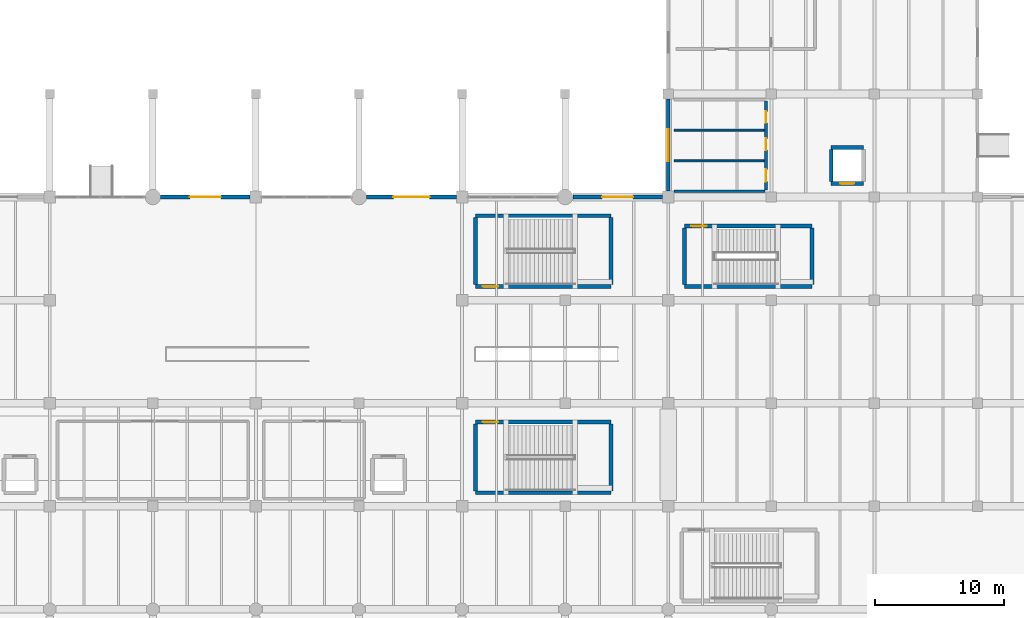
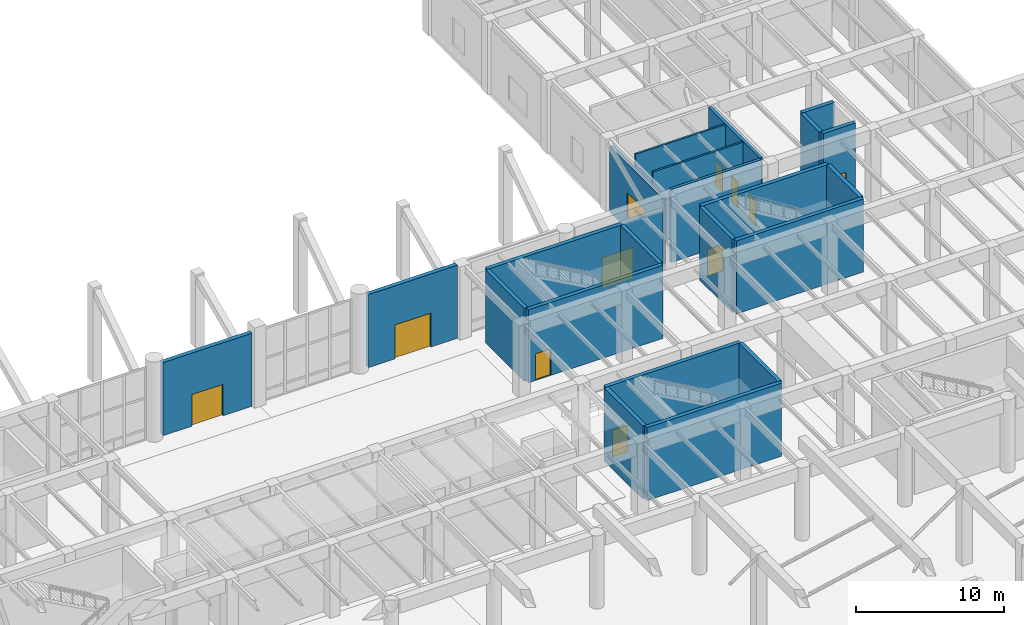
# One storey, part 37 of 51: 23 walls, 10 doors, 1 window, 11 openings.
"""IFC4 building model written with IfcOpenShell, lengths in metres."""

from ifc_helpers import new_model, si_unit, direction, frame, frame_2d, origin, place, context, subcontext, project, spatial, rectangle, extrude, material, layer, layer_set, type_object, element, fill, save


model = new_model("IFC4")

# Units and contexts
model_context = context("Model", 3, precision=1e-05, world=origin(), true_north=direction((0.0, 1.0)))
body_context = subcontext(model_context, "Body", "Model", "MODEL_VIEW")
ifc_project = project(units=[si_unit("LENGTHUNIT", "METRE"), si_unit("AREAUNIT", "SQUARE_METRE"), si_unit("VOLUMEUNIT", "CUBIC_METRE"), si_unit("PLANEANGLEUNIT", "RADIAN"), si_unit("MASSUNIT", "GRAM", prefix="KILO")], contexts=[model_context])

# Site, building, storey
site_placement = place(None, origin())
site = spatial("IfcSite", under=ifc_project, at=site_placement, CompositionType="ELEMENT")
building_placement = place(site_placement, origin())
building = spatial("IfcBuilding", under=site, at=building_placement, Name="Varnela Railside Interchange", CompositionType="ELEMENT")
storey_placement = place(building_placement, origin())
storey = spatial("IfcBuildingStorey", under=building, at=storey_placement, Name="L00", CompositionType="ELEMENT", Elevation=0.0)

# Walls
ifc_material_1 = material(Name="Gypsum acoustic board")
ifc_layer_1 = layer(ifc_material_1, 0.14990234375)
ifc_layer_set_1 = layer_set([ifc_layer_1], Name="Gypsum acoustic board")
wall_type_1 = type_object("IfcWallType", Name="Acoustic Drywall Partition IW-01", PredefinedType="PARTITIONING", material=ifc_layer_set_1)
for number, where, z_axis, x_axis, name in (
    (1, (116.449951171875, 64.800048828125, 0.0), (0.0, 0.0, 1.0), (1.0, 0.0, 0.0), "Acoustic Drywall Partition IW-01 (L00) (WL-0394)"),
    (2, (116.449951171875, 67.199951171875, 0.0), (0.0, 0.0, 1.0), (1.0, 0.0, 0.0), "Acoustic Drywall Partition IW-01 (L00) (WL-0395)"),
):
    element("IfcWall", number, at=place(storey_placement, frame(where, z_axis=z_axis, x_axis=x_axis)), inside=storey, type_object=wall_type_1, Name=name, PredefinedType="PARTITIONING", context=body_context, shape_type="SweptSolid", body=[
        extrude(rectangle(XDim=7.0, YDim=0.14990234375, at=frame_2d((3.5, 0.0))), origin(), (0.0, 0.0, 1.0), 6.02001953125),
    ])

# Wall, opening, door
ifc_material_2 = material(Name="Concrete C40 precast", Category="concrete")
ifc_layer_2 = layer(ifc_material_2, 0.320068359375)
ifc_layer_set_2 = layer_set([ifc_layer_2], Name="Concrete C40 precast")
wall_type_2 = type_object("IfcWallType", Name="Board-Formed Concrete Facade Wall EW-01", PredefinedType="STANDARD", material=ifc_layer_set_2)
wall_1_placement = place(storey_placement, frame((76.60009765625, 62.0, 0.0), z_axis=(0.0, 0.0, 1.0), x_axis=(1.0, 0.0, 0.0)))
wall_1 = element("IfcWall", 3, at=wall_1_placement, inside=storey, type_object=wall_type_2, Name="Board-Formed Concrete Facade Wall EW-01 (L00) (WL-0351)", PredefinedType="STANDARD", context=body_context, shape_type="SweptSolid", body=[
    extrude(rectangle(XDim=6.949951171875, YDim=0.320068359375, at=frame_2d((3.47509765625, 0.0))), origin(), (0.0, 0.0, 1.0), 6.02001953125),
])
opening_1_placement = place(wall_1_placement, frame((2.27490234375, 0.0, 0.0)))
opening_1 = element("IfcOpeningElement", 4, at=opening_1_placement, cuts=wall_1, Name="Opening D-009", PredefinedType="OPENING", context=body_context, shape_type="SweptSolid", body=[
    extrude(rectangle(XDim=2.39990234375, YDim=2.60009765625, at=frame_2d((1.199951171875, 1.300048828125))), frame((0.0, 0.169921875, 0.0), z_axis=(0.0, -1.0, 0.0), x_axis=(1.0, 0.0, 0.0)), (0.0, 0.0, 1.0), 0.340087890625),
])
ifc_material_3 = material(Name="Aluminium 6063-T6", Category="aluminium")
door_type_1 = type_object("IfcDoorType", Name="Concourse Plaza Entrance Door ED-02", OperationType="DOUBLE_DOOR_SINGLE_SWING", PredefinedType="DOOR", material=ifc_material_3)
door_1_placement = place(opening_1_placement, origin())
door_1 = element("IfcDoor", 5, at=door_1_placement, inside=storey, type_object=door_type_1, Name="Door D-009", OperationType="DOUBLE_DOOR_SINGLE_SWING", OverallHeight=2.60009765625, OverallWidth=2.39990234375, PredefinedType="DOOR", context=body_context, shape_type="SweptSolid", body=[
    extrude(rectangle(XDim=2.39990234375, YDim=2.60009765625, at=frame_2d((1.199951171875, 1.300048828125))), frame((0.0, 0.02490234375, 0.0), z_axis=(0.0, -1.0, 0.0), x_axis=(1.0, 0.0, 0.0)), (0.0, 0.0, 1.0), 0.050048828125),
])
fill(opening_1, door_1)

wall_2_placement = place(storey_placement, frame((92.60009765625, 62.0, 0.0), z_axis=(0.0, 0.0, 1.0), x_axis=(1.0, 0.0, 0.0)))
wall_2 = element("IfcWall", 6, at=wall_2_placement, inside=storey, type_object=wall_type_2, Name="Board-Formed Concrete Facade Wall EW-01 (L00) (WL-0352)", PredefinedType="STANDARD", context=body_context, shape_type="SweptSolid", body=[
    extrude(rectangle(XDim=6.949951171875, YDim=0.320068359375, at=frame_2d((3.47509765625, 0.0))), origin(), (0.0, 0.0, 1.0), 6.02001953125),
])
opening_2_placement = place(wall_2_placement, frame((2.074951171875, 0.0, 0.0)))
opening_2 = element("IfcOpeningElement", 7, at=opening_2_placement, cuts=wall_2, Name="Opening D-010", PredefinedType="OPENING", context=body_context, shape_type="SweptSolid", body=[
    extrude(rectangle(XDim=2.800048828125, YDim=2.800048828125, at=frame_2d((1.39990234375, 1.39990234375))), frame((0.0, 0.169921875, 0.0), z_axis=(0.0, -1.0, 0.0), x_axis=(1.0, 0.0, 0.0)), (0.0, 0.0, 1.0), 0.340087890625),
])
door_type_2 = type_object("IfcDoorType", Name="Forecourt Main Double Entrance ED-01", OperationType="DOUBLE_DOOR_SINGLE_SWING", PredefinedType="DOOR", material=ifc_material_3)
door_2_placement = place(opening_2_placement, origin())
door_2 = element("IfcDoor", 8, at=door_2_placement, inside=storey, type_object=door_type_2, Name="Door D-010", OperationType="DOUBLE_DOOR_SINGLE_SWING", OverallHeight=2.800048828125, OverallWidth=2.800048828125, PredefinedType="DOOR", context=body_context, shape_type="SweptSolid", body=[
    extrude(rectangle(XDim=2.800048828125, YDim=2.800048828125, at=frame_2d((1.39990234375, 1.39990234375))), frame((0.0, 0.02490234375, 0.0), z_axis=(0.0, -1.0, 0.0), x_axis=(1.0, 0.0, 0.0)), (0.0, 0.0, 1.0), 0.050048828125),
])
fill(opening_2, door_2)

wall_3_placement = place(storey_placement, frame((108.60009765625, 62.0, 0.0), z_axis=(0.0, 0.0, 1.0), x_axis=(1.0, 0.0, 0.0)))
wall_3 = element("IfcWall", 9, at=wall_3_placement, inside=storey, type_object=wall_type_2, Name="Board-Formed Concrete Facade Wall EW-01 (L00) (WL-0353)", PredefinedType="STANDARD", context=body_context, shape_type="SweptSolid", body=[
    extrude(rectangle(XDim=6.949951171875, YDim=0.320068359375, at=frame_2d((3.47509765625, 0.0))), origin(), (0.0, 0.0, 1.0), 4.919921875),
])
opening_3_placement = place(wall_3_placement, frame((2.27490234375, 0.0, 0.0)))
opening_3 = element("IfcOpeningElement", 10, at=opening_3_placement, cuts=wall_3, Name="Opening D-011", PredefinedType="OPENING", context=body_context, shape_type="SweptSolid", body=[
    extrude(rectangle(XDim=2.39990234375, YDim=2.60009765625, at=frame_2d((1.199951171875, 1.300048828125))), frame((0.0, 0.169921875, 0.0), z_axis=(0.0, -1.0, 0.0), x_axis=(1.0, 0.0, 0.0)), (0.0, 0.0, 1.0), 0.340087890625),
])
door_3_placement = place(opening_3_placement, origin())
door_3 = element("IfcDoor", 11, at=door_3_placement, inside=storey, type_object=door_type_1, Name="Door D-011", OperationType="DOUBLE_DOOR_SINGLE_SWING", OverallHeight=2.60009765625, OverallWidth=2.39990234375, PredefinedType="DOOR", context=body_context, shape_type="SweptSolid", body=[
    extrude(rectangle(XDim=2.39990234375, YDim=2.60009765625, at=frame_2d((1.199951171875, 1.300048828125))), frame((0.0, 0.02490234375, 0.0), z_axis=(0.0, -1.0, 0.0), x_axis=(1.0, 0.0, 0.0)), (0.0, 0.0, 1.0), 0.050048828125),
])
fill(opening_3, door_3)

# Wall, openings, doors
ifc_material_4 = material(Name="Masonry concrete block", Category="masonry")
ifc_layer_3 = layer(ifc_material_4, 0.2099609375)
ifc_layer_set_3 = layer_set([ifc_layer_3], Name="Masonry concrete block")
wall_type_3 = type_object("IfcWallType", Name="Sanitary Plumbing Chase Wall IW-04", PredefinedType="PLUMBINGWALL", material=ifc_layer_set_3)
wall_4_placement = place(storey_placement, frame((123.60009765625, 62.550048828125, 0.0), z_axis=(0.0, 0.0, 1.0), x_axis=(0.0, 1.0, 0.0)))
wall_4 = element("IfcWall", 12, at=wall_4_placement, inside=storey, type_object=wall_type_3, Name="Sanitary Plumbing Chase Wall IW-04 (L00) (WL-0396)", PredefinedType="PLUMBINGWALL", context=body_context, shape_type="SweptSolid", body=[
    extrude(rectangle(XDim=6.89990234375, YDim=0.219970703125, at=frame_2d((3.449951171875, 0.0))), origin(), (0.0, 0.0, 1.0), 6.02001953125),
])
opening_4_placement = place(wall_4_placement, frame((0.64990234375, 0.0, 0.0)))
opening_4 = element("IfcOpeningElement", 13, at=opening_4_placement, cuts=wall_4, Name="Opening D-170", PredefinedType="OPENING", context=body_context, shape_type="SweptSolid", body=[
    extrude(rectangle(XDim=0.949951171875, YDim=2.10009765625, at=frame_2d((0.47509765625, 1.050048828125))), frame((0.0, 0.119873046875, 0.0), z_axis=(0.0, -1.0, 0.0), x_axis=(1.0, 0.0, 0.0)), (0.0, 0.0, 1.0), 0.239990234375),
])
opening_5_placement = place(wall_4_placement, frame((3.10009765625, 0.0, 0.0)))
opening_5 = element("IfcOpeningElement", 14, at=opening_5_placement, cuts=wall_4, Name="Opening D-171", PredefinedType="OPENING", context=body_context, shape_type="SweptSolid", body=[
    extrude(rectangle(XDim=0.89990234375, YDim=2.10009765625, at=frame_2d((0.449951171875, 1.050048828125))), frame((0.0, 0.119873046875, 0.0), z_axis=(0.0, -1.0, 0.0), x_axis=(1.0, 0.0, 0.0)), (0.0, 0.0, 1.0), 0.239990234375),
])
opening_6_placement = place(wall_4_placement, frame((5.199951171875, 0.0, 0.0)))
opening_6 = element("IfcOpeningElement", 15, at=opening_6_placement, cuts=wall_4, Name="Opening D-172", PredefinedType="OPENING", context=body_context, shape_type="SweptSolid", body=[
    extrude(rectangle(XDim=0.89990234375, YDim=2.10009765625, at=frame_2d((0.449951171875, 1.050048828125))), frame((0.0, 0.119873046875, 0.0), z_axis=(0.0, -1.0, 0.0), x_axis=(1.0, 0.0, 0.0)), (0.0, 0.0, 1.0), 0.239990234375),
])
ifc_material_5 = material(Name="Timber solid core", Category="wood")
door_type_3 = type_object("IfcDoorType", Name="DR-SGL-900", OperationType="NOTDEFINED", PredefinedType="DOOR", material=ifc_material_5)
door_4_placement = place(opening_5_placement, origin())
door_4 = element("IfcDoor", 16, at=door_4_placement, inside=storey, type_object=door_type_3, Name="Door D-171", OperationType="SINGLE_SWING_RIGHT", OverallHeight=2.10009765625, OverallWidth=0.89990234375, PredefinedType="DOOR", context=body_context, shape_type="SweptSolid", body=[
    extrude(rectangle(XDim=0.89990234375, YDim=2.10009765625, at=frame_2d((0.449951171875, 1.050048828125))), frame((0.0, 0.02490234375, 0.0), z_axis=(0.0, -1.0, 0.0), x_axis=(1.0, 0.0, 0.0)), (0.0, 0.0, 1.0), 0.050048828125),
])
fill(opening_5, door_4)
door_5_placement = place(opening_6_placement, origin())
door_5 = element("IfcDoor", 17, at=door_5_placement, inside=storey, type_object=door_type_3, Name="Door D-172", OperationType="SINGLE_SWING_LEFT", OverallHeight=2.10009765625, OverallWidth=0.89990234375, PredefinedType="DOOR", context=body_context, shape_type="SweptSolid", body=[
    extrude(rectangle(XDim=0.89990234375, YDim=2.10009765625, at=frame_2d((0.449951171875, 1.050048828125))), frame((0.0, 0.02490234375, 0.0), z_axis=(0.0, -1.0, 0.0), x_axis=(1.0, 0.0, 0.0)), (0.0, 0.0, 1.0), 0.050048828125),
])
fill(opening_6, door_5)
door_type_4 = type_object("IfcDoorType", Name="DR-SGL-950-ACC", OperationType="NOTDEFINED", PredefinedType="DOOR", material=ifc_material_5)
door_6_placement = place(opening_4_placement, origin())
door_6 = element("IfcDoor", 18, at=door_6_placement, inside=storey, type_object=door_type_4, Name="Door D-170", OperationType="SINGLE_SWING_LEFT", OverallHeight=2.10009765625, OverallWidth=0.949951171875, PredefinedType="DOOR", context=body_context, shape_type="SweptSolid", body=[
    extrude(rectangle(XDim=0.949951171875, YDim=2.10009765625, at=frame_2d((0.47509765625, 1.050048828125))), frame((0.0, 0.02490234375, 0.0), z_axis=(0.0, -1.0, 0.0), x_axis=(1.0, 0.0, 0.0)), (0.0, 0.0, 1.0), 0.050048828125),
])
fill(opening_4, door_6)

# Wall
wall_5_placement = place(storey_placement, frame((116.449951171875, 62.449951171875, 0.0), z_axis=(0.0, 0.0, 1.0), x_axis=(1.0, 0.0, 0.0)))
element("IfcWall", 19, at=wall_5_placement, inside=storey, type_object=wall_type_3, Name="Sanitary Plumbing Chase Wall IW-04 (L00) (WL-0398)", PredefinedType="PLUMBINGWALL", context=body_context, shape_type="SweptSolid", body=[
    extrude(rectangle(XDim=7.050048828125, YDim=0.219970703125, at=frame_2d((3.52490234375, 0.0))), origin(), (0.0, 0.0, 1.0), 6.02001953125),
])

# Wall, opening, door
ifc_material_6 = material(Name="Concrete C50", Category="concrete")
ifc_layer_4 = layer(ifc_material_6, 0.300048828125)
ifc_layer_set_4 = layer_set([ifc_layer_4], Name="Concrete C50")
wall_type_4 = type_object("IfcWallType", Name="Stair & Lift Shaft Wall SW-03", PredefinedType="SHEAR", material=ifc_layer_set_4)
wall_6_placement = place(storey_placement, frame((117.25, 59.75, 0.0), z_axis=(0.0, 0.0, 1.0), x_axis=(1.0, 0.0, 0.0)))
wall_6 = element("IfcWall", 20, at=wall_6_placement, inside=storey, type_object=wall_type_4, Name="Stair & Lift Shaft Wall SW-03 (L00) (WL-0443)", PredefinedType="SHEAR", context=body_context, shape_type="SweptSolid", body=[
    extrude(rectangle(XDim=9.89990234375, YDim=0.300048828125, at=frame_2d((4.949951171875, 0.0))), origin(), (0.0, 0.0, 1.0), 6.02001953125),
])
opening_7_placement = place(wall_6_placement, frame((0.550048828125, 0.0, 0.0)))
opening_7 = element("IfcOpeningElement", 21, at=opening_7_placement, cuts=wall_6, Name="Opening D-155", PredefinedType="OPENING", context=body_context, shape_type="SweptSolid", body=[
    extrude(rectangle(XDim=1.199951171875, YDim=2.199951171875, at=frame_2d((0.60009765625, 1.10009765625))), frame((0.0, 0.159912109375, 0.0), z_axis=(0.0, -1.0, 0.0), x_axis=(1.0, 0.0, 0.0)), (0.0, 0.0, 1.0), 0.320068359375),
])
ifc_material_7 = material(Name="Steel AR 350 (350 MPa)", Category="steel")
door_type_5 = type_object("IfcDoorType", Name="DR-SGL-1200-FD90", OperationType="NOTDEFINED", PredefinedType="DOOR", material=ifc_material_7)
door_7_placement = place(opening_7_placement, origin())
door_7 = element("IfcDoor", 22, at=door_7_placement, inside=storey, type_object=door_type_5, Name="Door D-155", OperationType="SINGLE_SWING_RIGHT", OverallHeight=2.199951171875, OverallWidth=1.199951171875, PredefinedType="DOOR", context=body_context, shape_type="SweptSolid", body=[
    extrude(rectangle(XDim=1.199951171875, YDim=2.199951171875, at=frame_2d((0.60009765625, 1.10009765625))), frame((0.0, 0.02490234375, 0.0), z_axis=(0.0, -1.0, 0.0), x_axis=(1.0, 0.0, 0.0)), (0.0, 0.0, 1.0), 0.050048828125),
])
fill(opening_7, door_7)

# Walls
wall_7_placement = place(storey_placement, frame((117.25, 55.050048828125, 0.0), z_axis=(0.0, 0.0, 1.0), x_axis=(1.0, 0.0, 0.0)))
element("IfcWall", 23, at=wall_7_placement, inside=storey, type_object=wall_type_4, Name="Stair & Lift Shaft Wall SW-03 (L00) (WL-0444)", PredefinedType="SHEAR", context=body_context, shape_type="SweptSolid", body=[
    extrude(rectangle(XDim=9.89990234375, YDim=0.300048828125, at=frame_2d((4.949951171875, 0.0))), origin(), (0.0, 0.0, 1.0), 6.02001953125),
])
for number, where, z_axis, x_axis, name in (
    (24, (117.25, 55.199951171875, 0.0), (0.0, 0.0, 1.0), (0.0, 1.0, 0.0), "Stair & Lift Shaft Wall SW-03 (L00) (WL-0445)"),
    (25, (127.14990234375, 55.199951171875, 0.0), (0.0, 0.0, 1.0), (0.0, 1.0, 0.0), "Stair & Lift Shaft Wall SW-03 (L00) (WL-0442)"),
):
    element("IfcWall", number, at=place(storey_placement, frame(where, z_axis=z_axis, x_axis=x_axis)), inside=storey, type_object=wall_type_4, Name=name, PredefinedType="SHEAR", context=body_context, shape_type="SweptSolid", body=[
        extrude(rectangle(XDim=4.400146484375, YDim=0.300048828125, at=frame_2d((2.2001953125, 0.0))), origin(), (0.0, 0.0, 1.0), 6.02001953125),
    ])

# Wall, opening, door
wall_8_placement = place(storey_placement, frame((101.050048828125, 44.550048828125, 0.0), z_axis=(0.0, 0.0, 1.0), x_axis=(1.0, 0.0, 0.0)))
wall_8 = element("IfcWall", 26, at=wall_8_placement, inside=storey, type_object=wall_type_4, Name="Stair & Lift Shaft Wall SW-03 (L00) (WL-0431)", PredefinedType="SHEAR", context=body_context, shape_type="SweptSolid", body=[
    extrude(rectangle(XDim=10.5, YDim=0.300048828125, at=frame_2d((5.25, 0.0))), origin(), (0.0, 0.0, 1.0), 6.02001953125),
])
opening_8_placement = place(wall_8_placement, frame((0.550048828125, 0.0, 0.0)))
opening_8 = element("IfcOpeningElement", 27, at=opening_8_placement, cuts=wall_8, Name="Opening D-159", PredefinedType="OPENING", context=body_context, shape_type="SweptSolid", body=[
    extrude(rectangle(XDim=1.199951171875, YDim=2.199951171875, at=frame_2d((0.60009765625, 1.10009765625))), frame((0.0, 0.159912109375, 0.0), z_axis=(0.0, -1.0, 0.0), x_axis=(1.0, 0.0, 0.0)), (0.0, 0.0, 1.0), 0.320068359375),
])
door_8_placement = place(opening_8_placement, origin())
door_8 = element("IfcDoor", 28, at=door_8_placement, inside=storey, type_object=door_type_5, Name="Door D-159", OperationType="SINGLE_SWING_RIGHT", OverallHeight=2.199951171875, OverallWidth=1.199951171875, PredefinedType="DOOR", context=body_context, shape_type="SweptSolid", body=[
    extrude(rectangle(XDim=1.199951171875, YDim=2.199951171875, at=frame_2d((0.60009765625, 1.10009765625))), frame((0.0, 0.02490234375, 0.0), z_axis=(0.0, -1.0, 0.0), x_axis=(1.0, 0.0, 0.0)), (0.0, 0.0, 1.0), 0.050048828125),
])
fill(opening_8, door_8)

# Walls
wall_9_placement = place(storey_placement, frame((101.050048828125, 39.050048828125, 0.0), z_axis=(0.0, 0.0, 1.0), x_axis=(1.0, 0.0, 0.0)))
element("IfcWall", 29, at=wall_9_placement, inside=storey, type_object=wall_type_4, Name="Stair & Lift Shaft Wall SW-03 (L00) (WL-0432)", PredefinedType="SHEAR", context=body_context, shape_type="SweptSolid", body=[
    extrude(rectangle(XDim=10.5, YDim=0.300048828125, at=frame_2d((5.25, 0.0))), origin(), (0.0, 0.0, 1.0), 6.02001953125),
])
for number, where, z_axis, x_axis, name in (
    (30, (101.050048828125, 39.199951171875, 0.0), (0.0, 0.0, 1.0), (0.0, 1.0, 0.0), "Stair & Lift Shaft Wall SW-03 (L00) (WL-0433)"),
    (31, (111.550048828125, 39.199951171875, 0.0), (0.0, 0.0, 1.0), (0.0, 1.0, 0.0), "Stair & Lift Shaft Wall SW-03 (L00) (WL-0430)"),
):
    element("IfcWall", number, at=place(storey_placement, frame(where, z_axis=z_axis, x_axis=x_axis)), inside=storey, type_object=wall_type_4, Name=name, PredefinedType="SHEAR", context=body_context, shape_type="SweptSolid", body=[
        extrude(rectangle(XDim=5.199951171875, YDim=0.300048828125, at=frame_2d((2.60009765625, 0.0))), origin(), (0.0, 0.0, 1.0), 6.02001953125),
    ])
wall_10_placement = place(storey_placement, frame((101.050048828125, 60.550048828125, 0.0), z_axis=(0.0, 0.0, 1.0), x_axis=(1.0, 0.0, 0.0)))
element("IfcWall", 32, at=wall_10_placement, inside=storey, type_object=wall_type_4, Name="Stair & Lift Shaft Wall SW-03 (L00) (WL-0439)", PredefinedType="SHEAR", context=body_context, shape_type="SweptSolid", body=[
    extrude(rectangle(XDim=10.5, YDim=0.300048828125, at=frame_2d((5.25, 0.0))), origin(), (0.0, 0.0, 1.0), 6.02001953125),
])

# Wall, opening, door
wall_11_placement = place(storey_placement, frame((101.050048828125, 55.050048828125, 0.0), z_axis=(0.0, 0.0, 1.0), x_axis=(1.0, 0.0, 0.0)))
wall_11 = element("IfcWall", 33, at=wall_11_placement, inside=storey, type_object=wall_type_4, Name="Stair & Lift Shaft Wall SW-03 (L00) (WL-0440)", PredefinedType="SHEAR", context=body_context, shape_type="SweptSolid", body=[
    extrude(rectangle(XDim=10.5, YDim=0.300048828125, at=frame_2d((5.25, 0.0))), origin(), (0.0, 0.0, 1.0), 6.02001953125),
])
opening_9_placement = place(wall_11_placement, frame((0.550048828125, 0.0, 0.0)))
opening_9 = element("IfcOpeningElement", 34, at=opening_9_placement, cuts=wall_11, Name="Opening D-161", PredefinedType="OPENING", context=body_context, shape_type="SweptSolid", body=[
    extrude(rectangle(XDim=1.199951171875, YDim=2.199951171875, at=frame_2d((0.60009765625, 1.10009765625))), frame((0.0, 0.159912109375, 0.0), z_axis=(0.0, -1.0, 0.0), x_axis=(1.0, 0.0, 0.0)), (0.0, 0.0, 1.0), 0.320068359375),
])
door_9_placement = place(opening_9_placement, frame((1.199951171875, 0.0, 0.0), z_axis=(0.0, 0.0, 1.0), x_axis=(-1.0, 0.0, 0.0)))
door_9 = element("IfcDoor", 35, at=door_9_placement, inside=storey, type_object=door_type_5, Name="Door D-161", OperationType="SINGLE_SWING_RIGHT", OverallHeight=2.199951171875, OverallWidth=1.199951171875, PredefinedType="DOOR", context=body_context, shape_type="SweptSolid", body=[
    extrude(rectangle(XDim=1.199951171875, YDim=2.199951171875, at=frame_2d((0.60009765625, 1.10009765625))), frame((0.0, 0.02490234375, 0.0), z_axis=(0.0, -1.0, 0.0), x_axis=(1.0, 0.0, 0.0)), (0.0, 0.0, 1.0), 0.050048828125),
])
fill(opening_9, door_9)

# Walls
for number, where, z_axis, x_axis, name in (
    (36, (101.050048828125, 55.199951171875, 0.0), (0.0, 0.0, 1.0), (0.0, 1.0, 0.0), "Stair & Lift Shaft Wall SW-03 (L00) (WL-0441)"),
    (37, (111.550048828125, 55.199951171875, 0.0), (0.0, 0.0, 1.0), (0.0, 1.0, 0.0), "Stair & Lift Shaft Wall SW-03 (L00) (WL-0438)"),
):
    element("IfcWall", number, at=place(storey_placement, frame(where, z_axis=z_axis, x_axis=x_axis)), inside=storey, type_object=wall_type_4, Name=name, PredefinedType="SHEAR", context=body_context, shape_type="SweptSolid", body=[
        extrude(rectangle(XDim=5.199951171875, YDim=0.300048828125, at=frame_2d((2.60009765625, 0.0))), origin(), (0.0, 0.0, 1.0), 6.02001953125),
    ])
wall_12_placement = place(storey_placement, frame((128.64990234375, 65.85009765625, 0.0), z_axis=(0.0, 0.0, 1.0), x_axis=(1.0, 0.0, 0.0)))
element("IfcWall", 38, at=wall_12_placement, inside=storey, type_object=wall_type_4, Name="Stair & Lift Shaft Wall SW-03 (L00) (WL-0423)", PredefinedType="SHEAR", context=body_context, shape_type="SweptSolid", body=[
    extrude(rectangle(XDim=2.5, YDim=0.300048828125, at=frame_2d((1.25, 0.0))), origin(), (0.0, 0.0, 1.0), 6.02001953125),
])

# Wall, opening, door
wall_13_placement = place(storey_placement, frame((128.64990234375, 63.050048828125, 0.0), z_axis=(0.0, 0.0, 1.0), x_axis=(1.0, 0.0, 0.0)))
wall_13 = element("IfcWall", 39, at=wall_13_placement, inside=storey, type_object=wall_type_4, Name="Stair & Lift Shaft Wall SW-03 (L00) (WL-0424)", PredefinedType="SHEAR", context=body_context, shape_type="SweptSolid", body=[
    extrude(rectangle(XDim=2.5, YDim=0.300048828125, at=frame_2d((1.25, 0.0))), origin(), (0.0, 0.0, 1.0), 6.02001953125),
])
opening_10_placement = place(wall_13_placement, frame((0.699951171875, 0.0, 0.0)))
opening_10 = element("IfcOpeningElement", 40, at=opening_10_placement, cuts=wall_13, Name="Opening LD-030", PredefinedType="OPENING", context=body_context, shape_type="SweptSolid", body=[
    extrude(rectangle(XDim=1.080078125, YDim=2.199951171875, at=frame_2d((0.5400390625, 1.10009765625))), frame((0.0, 0.159912109375, 0.0), z_axis=(0.0, -1.0, 0.0), x_axis=(1.0, 0.0, 0.0)), (0.0, 0.0, 1.0), 0.320068359375),
])
door_type_6 = type_object("IfcDoorType", Name="DR-LIFT-1080", OperationType="SLIDING_TO_LEFT", PredefinedType="DOOR", material=ifc_material_7)
door_10_placement = place(opening_10_placement, origin())
door_10 = element("IfcDoor", 41, at=door_10_placement, inside=storey, type_object=door_type_6, Name="Door LD-030", OperationType="SLIDING_TO_LEFT", OverallHeight=2.199951171875, OverallWidth=1.080078125, PredefinedType="DOOR", context=body_context, shape_type="SweptSolid", body=[
    extrude(rectangle(XDim=1.080078125, YDim=2.199951171875, at=frame_2d((0.5400390625, 1.10009765625))), frame((0.0, 0.02490234375, 0.0), z_axis=(0.0, -1.0, 0.0), x_axis=(1.0, 0.0, 0.0)), (0.0, 0.0, 1.0), 0.050048828125),
])
fill(opening_10, door_10)

# Wall
wall_14_placement = place(storey_placement, frame((128.64990234375, 63.199951171875, 0.0), z_axis=(0.0, 0.0, 1.0), x_axis=(0.0, 1.0, 0.0)))
element("IfcWall", 42, at=wall_14_placement, inside=storey, type_object=wall_type_4, Name="Stair & Lift Shaft Wall SW-03 (L00) (WL-0425)", PredefinedType="SHEAR", context=body_context, shape_type="SweptSolid", body=[
    extrude(rectangle(XDim=2.5, YDim=0.300048828125, at=frame_2d((1.25, 0.0))), origin(), (0.0, 0.0, 1.0), 6.02001953125),
])

# Wall, opening, window
ifc_layer_5 = layer(ifc_material_2, 0.260009765625)
ifc_layer_set_5 = layer_set([ifc_layer_5], Name="Concrete C40 precast")
wall_type_5 = type_object("IfcWallType", Name="Terracotta Precast Study Facade Wall EW-03", PredefinedType="STANDARD", material=ifc_layer_set_5)
wall_15_placement = place(storey_placement, frame((116.0, 62.449951171875, 0.0), z_axis=(0.0, 0.0, 1.0), x_axis=(0.0, 1.0, 0.0)))
wall_15 = element("IfcWall", 43, at=wall_15_placement, inside=storey, type_object=wall_type_5, Name="Terracotta Precast Study Facade Wall EW-03 (L00) (WL-0355)", PredefinedType="STANDARD", context=body_context, shape_type="SweptSolid", body=[
    extrude(rectangle(XDim=7.150146484375, YDim=0.260009765625, at=frame_2d((3.5751953125, 0.0))), origin(), (0.0, 0.0, 1.0), 5.407958984375),
])
opening_11_placement = place(wall_15_placement, frame((2.324951171875, 0.0, 0.949951171875)))
opening_11 = element("IfcOpeningElement", 44, at=opening_11_placement, cuts=wall_15, Name="Opening W-007", PredefinedType="OPENING", context=body_context, shape_type="SweptSolid", body=[
    extrude(rectangle(XDim=2.5, YDim=2.050048828125, at=frame_2d((1.25, 1.02490234375))), frame((0.0, 0.139892578125, 0.0), z_axis=(0.0, -1.0, 0.0), x_axis=(1.0, 0.0, 0.0)), (0.0, 0.0, 1.0), 0.280029296875),
])
ifc_material_8 = material(Name="Glass laminated double", Category="glass")
window_type = type_object("IfcWindowType", Name="Community Room Bay Window WN-20", PartitioningType="SINGLE_PANEL", PredefinedType="WINDOW", material=ifc_material_8)
window_placement = place(opening_11_placement, origin())
window = element("IfcWindow", 45, at=window_placement, inside=storey, type_object=window_type, Name="Window W-007", OverallHeight=2.050048828125, OverallWidth=2.5, PartitioningType="SINGLE_PANEL", PredefinedType="WINDOW", context=body_context, shape_type="SweptSolid", body=[
    extrude(rectangle(XDim=2.5, YDim=2.050048828125, at=frame_2d((1.25, 1.02490234375))), frame((0.0, 0.030029296875, 0.0), z_axis=(0.0, -1.0, 0.0), x_axis=(1.0, 0.0, 0.0)), (0.0, 0.0, 1.0), 0.06005859375),
])
fill(opening_11, window)

save(model, "model.ifc")
